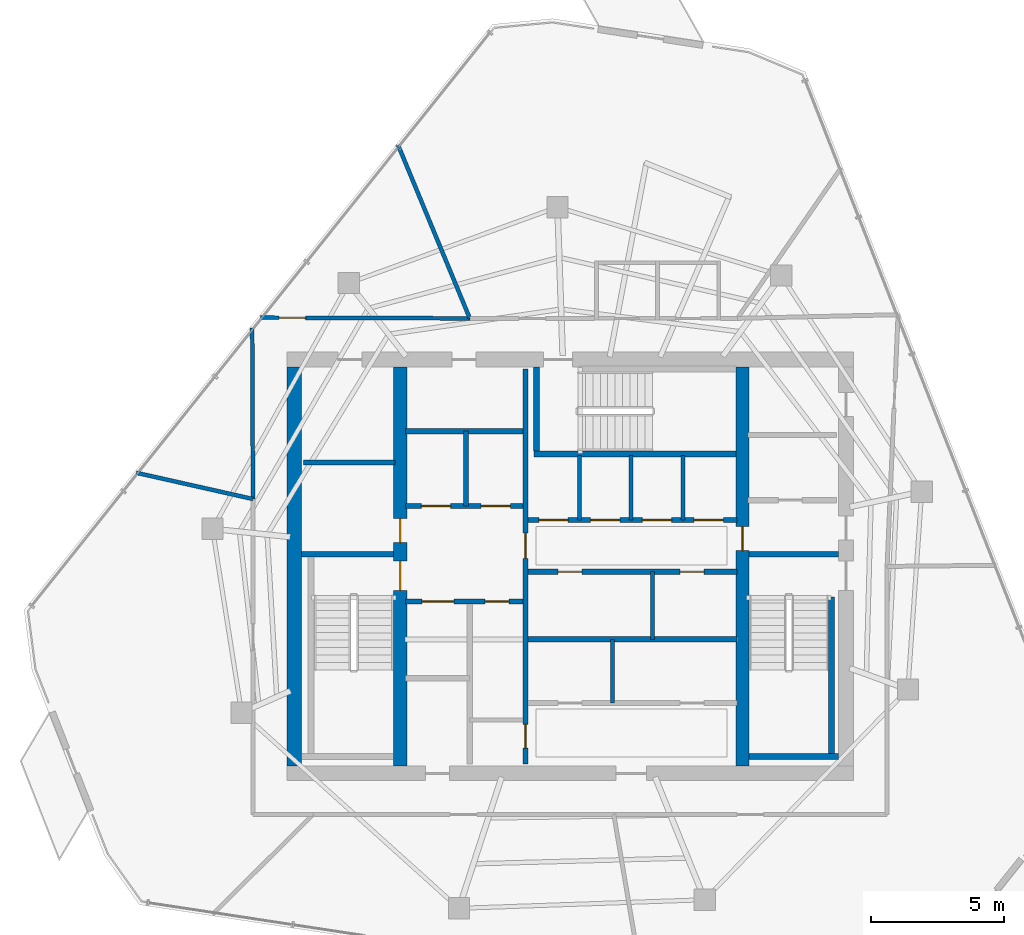
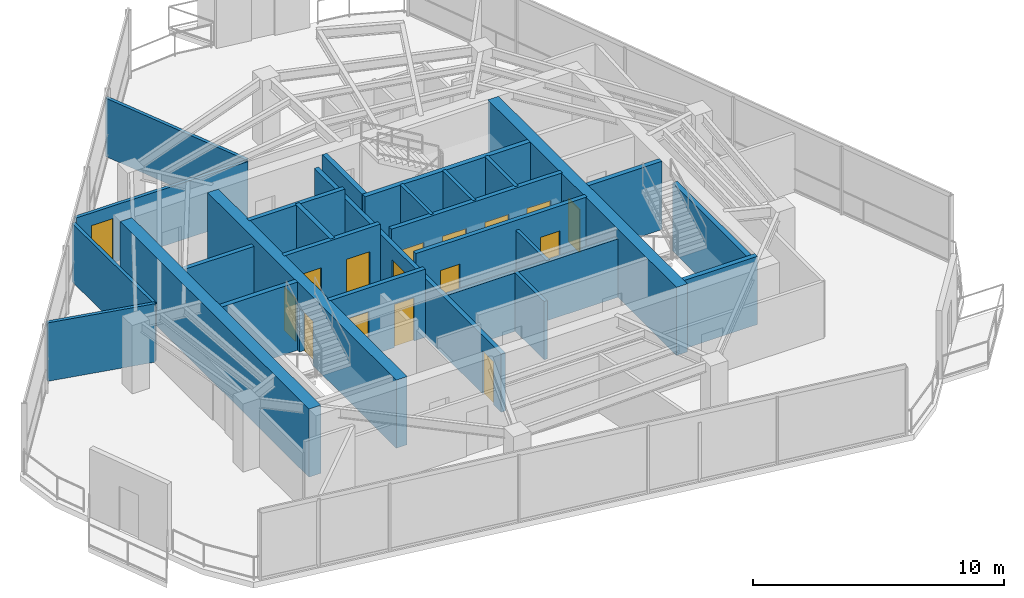
# One storey, part 15 of 19: 27 walls, 16 doors, 16 openings.
"""IFC4 building model written with IfcOpenShell, lengths in metres."""

from ifc_helpers import new_model, si_unit, direction, frame, frame_2d, origin, place, context, subcontext, project, spatial, rectangle, extrude, material, layer, layer_set, type_object, element, fill, save


model = new_model("IFC4")

# Units and contexts
model_context = context("Model", 3, precision=1e-05, world=origin(), true_north=direction((0.0, 1.0)))
body_context = subcontext(model_context, "Body", "Model", "MODEL_VIEW")
ifc_project = project(units=[si_unit("LENGTHUNIT", "METRE"), si_unit("AREAUNIT", "SQUARE_METRE"), si_unit("VOLUMEUNIT", "CUBIC_METRE"), si_unit("PLANEANGLEUNIT", "RADIAN"), si_unit("MASSUNIT", "GRAM", prefix="KILO")], contexts=[model_context])

# Site, building, storey
site_placement = place(None, origin())
site = spatial("IfcSite", under=ifc_project, at=site_placement, CompositionType="ELEMENT")
building_placement = place(site_placement, origin())
building = spatial("IfcBuilding", under=site, at=building_placement, Name="Qarnah Convention Tower", CompositionType="ELEMENT")
storey_placement = place(building_placement, frame((0.0, 0.0, 260.699951171875)))
storey = spatial("IfcBuildingStorey", under=building, at=storey_placement, Name="L70", CompositionType="ELEMENT", Elevation=260.699951171875)

# Wall
ifc_material_1 = material(Name="Concrete C60/75", Category="concrete")
ifc_layer_1 = layer(ifc_material_1, 0.550048828125)
ifc_layer_set_1 = layer_set([ifc_layer_1], Name="Concrete C60/75")
wall_type_1 = type_object("IfcWallType", Name="WL-CORE-550", PredefinedType="SHEAR", material=ifc_layer_set_1)
wall_1_placement = place(storey_placement, frame((26.800048828125, 18.875, 0.0), z_axis=(0.0, 0.0, 1.0), x_axis=(0.0, 1.0, 0.0)))
element("IfcWall", 1, at=wall_1_placement, inside=storey, type_object=wall_type_1, Name="L70 core west shear wall", PredefinedType="SHEAR", context=body_context, shape_type="SweptSolid", body=[
    extrude(rectangle(XDim=15.050048828125, YDim=0.550048828125, at=frame_2d((7.52490234375, 0.0))), origin(), (0.0, 0.0, 1.0), 3.320068359375),
])

# Wall, openings, doors
ifc_layer_2 = layer(ifc_material_1, 0.5)
ifc_layer_set_2 = layer_set([ifc_layer_2], Name="Concrete C60/75")
wall_type_2 = type_object("IfcWallType", Name="WL-CORE-INT-400", PredefinedType="SHEAR", material=ifc_layer_set_2)
wall_2_placement = place(storey_placement, frame((30.800048828125, 18.875, 0.0), z_axis=(0.0, 0.0, 1.0), x_axis=(0.0, 1.0, 0.0)))
wall_2 = element("IfcWall", 2, at=wall_2_placement, inside=storey, type_object=wall_type_2, Name="L70 core west spine shear wall", PredefinedType="SHEAR", context=body_context, shape_type="SweptSolid", body=[
    extrude(rectangle(XDim=15.050048828125, YDim=0.5, at=frame_2d((7.52490234375, 0.0))), origin(), (0.0, 0.0, 1.0), 3.320068359375),
])
opening_1_placement = place(wall_2_placement, frame((6.625, 0.0, 0.0)))
opening_1 = element("IfcOpeningElement", 3, at=opening_1_placement, cuts=wall_2, Name="Opening D-7001", PredefinedType="OPENING", context=body_context, shape_type="SweptSolid", body=[
    extrude(rectangle(XDim=1.10009765625, YDim=2.14990234375, at=frame_2d((0.550048828125, 1.074951171875))), frame((0.0, 0.260009765625, 0.0), z_axis=(0.0, -1.0, 0.0), x_axis=(1.0, 0.0, 0.0)), (0.0, 0.0, 1.0), 0.52001953125),
])
opening_2_placement = place(wall_2_placement, frame((8.425048828125, 0.0, 0.0)))
opening_2 = element("IfcOpeningElement", 4, at=opening_2_placement, cuts=wall_2, Name="Opening D-7008", PredefinedType="OPENING", context=body_context, shape_type="SweptSolid", body=[
    extrude(rectangle(XDim=0.89990234375, YDim=2.10009765625, at=frame_2d((0.449951171875, 1.050048828125))), frame((0.0, 0.260009765625, 0.0), z_axis=(0.0, -1.0, 0.0), x_axis=(1.0, 0.0, 0.0)), (0.0, 0.0, 1.0), 0.52001953125),
])
ifc_material_2 = material(Name="Structural steel S355JR", Category="steel")
door_type_1 = type_object("IfcDoorType", Name="DT-RISER-900", OperationType="NOTDEFINED", PredefinedType="DOOR", material=ifc_material_2)
door_1_placement = place(opening_2_placement, origin())
door_1 = element("IfcDoor", 5, at=door_1_placement, inside=storey, type_object=door_type_1, Name="Door D-7008", OperationType="SINGLE_SWING_LEFT", OverallHeight=2.10009765625, OverallWidth=0.89990234375, PredefinedType="DOOR", context=body_context, shape_type="SweptSolid", body=[
    extrude(rectangle(XDim=0.89990234375, YDim=2.10009765625, at=frame_2d((0.449951171875, 1.050048828125))), frame((0.0, 0.02490234375, 0.0), z_axis=(0.0, -1.0, 0.0), x_axis=(1.0, 0.0, 0.0)), (0.0, 0.0, 1.0), 0.050048828125),
])
fill(opening_2, door_1)
door_type_2 = type_object("IfcDoorType", Name="DT-STAIR-1100", OperationType="NOTDEFINED", PredefinedType="DOOR", material=ifc_material_2)
door_2_placement = place(opening_1_placement, origin())
door_2 = element("IfcDoor", 6, at=door_2_placement, inside=storey, type_object=door_type_2, Name="Door D-7001", OperationType="SINGLE_SWING_RIGHT", OverallHeight=2.14990234375, OverallWidth=1.10009765625, PredefinedType="DOOR", context=body_context, shape_type="SweptSolid", body=[
    extrude(rectangle(XDim=1.10009765625, YDim=2.14990234375, at=frame_2d((0.550048828125, 1.074951171875))), frame((0.0, 0.02490234375, 0.0), z_axis=(0.0, -1.0, 0.0), x_axis=(1.0, 0.0, 0.0)), (0.0, 0.0, 1.0), 0.050048828125),
])
fill(opening_1, door_2)

# Wall, opening, door
wall_3_placement = place(storey_placement, frame((43.699951171875, 18.875, 0.0), z_axis=(0.0, 0.0, 1.0), x_axis=(0.0, 1.0, 0.0)))
wall_3 = element("IfcWall", 7, at=wall_3_placement, inside=storey, type_object=wall_type_2, Name="L70 core east spine shear wall", PredefinedType="SHEAR", context=body_context, shape_type="SweptSolid", body=[
    extrude(rectangle(XDim=15.050048828125, YDim=0.5, at=frame_2d((7.52490234375, 0.0))), origin(), (0.0, 0.0, 1.0), 3.320068359375),
])
opening_3_placement = place(wall_3_placement, frame((8.125, 0.0, 0.0)))
opening_3 = element("IfcOpeningElement", 8, at=opening_3_placement, cuts=wall_3, Name="Opening D-7005", PredefinedType="OPENING", context=body_context, shape_type="SweptSolid", body=[
    extrude(rectangle(XDim=0.89990234375, YDim=2.10009765625, at=frame_2d((0.449951171875, 1.050048828125))), frame((0.0, 0.260009765625, 0.0), z_axis=(0.0, -1.0, 0.0), x_axis=(1.0, 0.0, 0.0)), (0.0, 0.0, 1.0), 0.52001953125),
])
door_3_placement = place(opening_3_placement, origin())
door_3 = element("IfcDoor", 9, at=door_3_placement, inside=storey, type_object=door_type_1, Name="Door D-7005", OperationType="SINGLE_SWING_RIGHT", OverallHeight=2.10009765625, OverallWidth=0.89990234375, PredefinedType="DOOR", context=body_context, shape_type="SweptSolid", body=[
    extrude(rectangle(XDim=0.89990234375, YDim=2.10009765625, at=frame_2d((0.449951171875, 1.050048828125))), frame((0.0, 0.02490234375, 0.0), z_axis=(0.0, -1.0, 0.0), x_axis=(1.0, 0.0, 0.0)), (0.0, 0.0, 1.0), 0.050048828125),
])
fill(opening_3, door_3)

# Wall
ifc_material_3 = material(Name="Concrete C45/55", Category="concrete")
ifc_layer_3 = layer(ifc_material_3, 0.199951171875)
ifc_layer_set_3 = layer_set([ifc_layer_3], Name="Concrete C45/55")
wall_type_3 = type_object("IfcWallType", Name="WL-CORE-PART-200", PredefinedType="SOLIDWALL", material=ifc_layer_set_3)
wall_4_placement = place(storey_placement, frame((27.14990234375, 30.320068359375, 0.0), z_axis=(0.0, 0.0, 1.0), x_axis=(1.0, 0.0, 0.0)))
element("IfcWall", 10, at=wall_4_placement, inside=storey, type_object=wall_type_3, Name="L70 interior wall IW-L70-ELRN", PredefinedType="SOLIDWALL", context=body_context, shape_type="SweptSolid", body=[
    extrude(rectangle(XDim=3.4501953125, YDim=0.199951171875, at=frame_2d((1.72509765625, 0.0))), origin(), (0.0, 0.0, 1.0), 2.948974609375),
])

# Wall, openings, doors
wall_5_placement = place(storey_placement, frame((35.52001953125, 18.949951171875, 0.0), z_axis=(0.0, 0.0, 1.0), x_axis=(0.0, 1.0, 0.0)))
wall_5 = element("IfcWall", 11, at=wall_5_placement, inside=storey, type_object=wall_type_3, Name="L70 interior wall IW-L70-CSP", PredefinedType="SOLIDWALL", context=body_context, shape_type="SweptSolid", body=[
    extrude(rectangle(XDim=14.900146484375, YDim=0.199951171875, at=frame_2d((7.4501953125, 0.0))), origin(), (0.0, 0.0, 1.0), 2.841064453125),
])
opening_4_placement = place(wall_5_placement, frame((7.7548828125, 0.0, 0.0)))
opening_4 = element("IfcOpeningElement", 12, at=opening_4_placement, cuts=wall_5, Name="Opening D-7004", PredefinedType="OPENING", context=body_context, shape_type="SweptSolid", body=[
    extrude(rectangle(XDim=0.949951171875, YDim=2.14990234375, at=frame_2d((0.47509765625, 1.074951171875))), frame((0.0, 0.10986328125, 0.0), z_axis=(0.0, -1.0, 0.0), x_axis=(1.0, 0.0, 0.0)), (0.0, 0.0, 1.0), 0.219970703125),
])
opening_5_placement = place(wall_5_placement, frame((0.60009765625, 0.0, 0.0)))
opening_5 = element("IfcOpeningElement", 13, at=opening_5_placement, cuts=wall_5, Name="Opening D-7014", PredefinedType="OPENING", context=body_context, shape_type="SweptSolid", body=[
    extrude(rectangle(XDim=0.89990234375, YDim=2.10009765625, at=frame_2d((0.449951171875, 1.050048828125))), frame((0.0, 0.10986328125, 0.0), z_axis=(0.0, -1.0, 0.0), x_axis=(1.0, 0.0, 0.0)), (0.0, 0.0, 1.0), 0.219970703125),
])
ifc_material_4 = material(Name="Oak timber veneer", Category="wood")
door_type_3 = type_object("IfcDoorType", Name="DT-HOTEL-950", OperationType="NOTDEFINED", PredefinedType="DOOR", material=ifc_material_4)
door_4_placement = place(opening_4_placement, origin())
door_4 = element("IfcDoor", 14, at=door_4_placement, inside=storey, type_object=door_type_3, Name="Door D-7004", OperationType="SINGLE_SWING_LEFT", OverallHeight=2.14990234375, OverallWidth=0.949951171875, PredefinedType="DOOR", context=body_context, shape_type="SweptSolid", body=[
    extrude(rectangle(XDim=0.949951171875, YDim=2.14990234375, at=frame_2d((0.47509765625, 1.074951171875))), frame((0.0, 0.02490234375, 0.0), z_axis=(0.0, -1.0, 0.0), x_axis=(1.0, 0.0, 0.0)), (0.0, 0.0, 1.0), 0.050048828125),
])
fill(opening_4, door_4)
door_5_placement = place(opening_5_placement, origin())
door_5 = element("IfcDoor", 15, at=door_5_placement, inside=storey, type_object=door_type_1, Name="Door D-7014", OperationType="SINGLE_SWING_LEFT", OverallHeight=2.10009765625, OverallWidth=0.89990234375, PredefinedType="DOOR", context=body_context, shape_type="SweptSolid", body=[
    extrude(rectangle(XDim=0.89990234375, YDim=2.10009765625, at=frame_2d((0.449951171875, 1.050048828125))), frame((0.0, 0.02490234375, 0.0), z_axis=(0.0, -1.0, 0.0), x_axis=(1.0, 0.0, 0.0)), (0.0, 0.0, 1.0), 0.050048828125),
])
fill(opening_5, door_5)

wall_6_placement = place(storey_placement, frame((31.0, 28.679931640625, 0.0), z_axis=(0.0, 0.0, 1.0), x_axis=(1.0, 0.0, 0.0)))
wall_6 = element("IfcWall", 16, at=wall_6_placement, inside=storey, type_object=wall_type_3, Name="L70 interior wall IW-L70-FFLS", PredefinedType="SOLIDWALL", context=body_context, shape_type="SweptSolid", body=[
    extrude(rectangle(XDim=4.419921875, YDim=0.199951171875, at=frame_2d((2.2099609375, 0.0))), origin(), (0.0, 0.0, 1.0), 3.320068359375),
])
opening_6_placement = place(wall_6_placement, frame((0.60009765625, 0.0, 0.0)))
opening_6 = element("IfcOpeningElement", 17, at=opening_6_placement, cuts=wall_6, Name="Opening LD-7001", PredefinedType="OPENING", context=body_context, shape_type="SweptSolid", body=[
    extrude(rectangle(XDim=1.10009765625, YDim=2.14990234375, at=frame_2d((0.550048828125, 1.074951171875))), frame((0.0, 0.10986328125, 0.0), z_axis=(0.0, -1.0, 0.0), x_axis=(1.0, 0.0, 0.0)), (0.0, 0.0, 1.0), 0.219970703125),
])
opening_7_placement = place(wall_6_placement, frame((2.85009765625, 0.0, 0.0)))
opening_7 = element("IfcOpeningElement", 18, at=opening_7_placement, cuts=wall_6, Name="Opening LD-7002", PredefinedType="OPENING", context=body_context, shape_type="SweptSolid", body=[
    extrude(rectangle(XDim=1.10009765625, YDim=2.14990234375, at=frame_2d((0.550048828125, 1.074951171875))), frame((0.0, 0.10986328125, 0.0), z_axis=(0.0, -1.0, 0.0), x_axis=(1.0, 0.0, 0.0)), (0.0, 0.0, 1.0), 0.219970703125),
])
door_type_4 = type_object("IfcDoorType", Name="DT-LIFT-1100", OperationType="SLIDING_TO_LEFT", PredefinedType="DOOR", material=ifc_material_2)
door_6_placement = place(opening_6_placement, origin())
door_6 = element("IfcDoor", 19, at=door_6_placement, inside=storey, type_object=door_type_4, Name="Door LD-7001", OperationType="SLIDING_TO_LEFT", OverallHeight=2.14990234375, OverallWidth=1.10009765625, PredefinedType="DOOR", context=body_context, shape_type="SweptSolid", body=[
    extrude(rectangle(XDim=1.10009765625, YDim=2.14990234375, at=frame_2d((0.550048828125, 1.074951171875))), frame((0.0, 0.02490234375, 0.0), z_axis=(0.0, -1.0, 0.0), x_axis=(1.0, 0.0, 0.0)), (0.0, 0.0, 1.0), 0.050048828125),
])
fill(opening_6, door_6)
door_7_placement = place(opening_7_placement, origin())
door_7 = element("IfcDoor", 20, at=door_7_placement, inside=storey, type_object=door_type_4, Name="Door LD-7002", OperationType="SLIDING_TO_LEFT", OverallHeight=2.14990234375, OverallWidth=1.10009765625, PredefinedType="DOOR", context=body_context, shape_type="SweptSolid", body=[
    extrude(rectangle(XDim=1.10009765625, YDim=2.14990234375, at=frame_2d((0.550048828125, 1.074951171875))), frame((0.0, 0.02490234375, 0.0), z_axis=(0.0, -1.0, 0.0), x_axis=(1.0, 0.0, 0.0)), (0.0, 0.0, 1.0), 0.050048828125),
])
fill(opening_7, door_7)

# Walls
wall_7_placement = place(storey_placement, frame((31.0, 31.5, 0.0), z_axis=(0.0, 0.0, 1.0), x_axis=(1.0, 0.0, 0.0)))
element("IfcWall", 21, at=wall_7_placement, inside=storey, type_object=wall_type_3, Name="L70 interior wall IW-L70-FFLN", PredefinedType="SOLIDWALL", context=body_context, shape_type="SweptSolid", body=[
    extrude(rectangle(XDim=4.419921875, YDim=0.199951171875, at=frame_2d((2.2099609375, 0.0))), origin(), (0.0, 0.0, 1.0), 3.320068359375),
])
wall_8_placement = place(storey_placement, frame((33.280029296875, 28.679931640625, 0.0), z_axis=(0.0, 0.0, 1.0), x_axis=(0.0, 1.0, 0.0)))
element("IfcWall", 22, at=wall_8_placement, inside=storey, type_object=wall_type_3, Name="L70 interior wall IW-L70-FFLM", PredefinedType="SOLIDWALL", context=body_context, shape_type="SweptSolid", body=[
    extrude(rectangle(XDim=2.820068359375, YDim=0.199951171875, at=frame_2d((1.41015625, 0.0))), origin(), (0.0, 0.0, 1.0), 3.320068359375),
])

# Wall, openings, doors
wall_9_placement = place(storey_placement, frame((31.0, 25.080078125, 0.0), z_axis=(0.0, 0.0, 1.0), x_axis=(1.0, 0.0, 0.0)))
wall_9 = element("IfcWall", 23, at=wall_9_placement, inside=storey, type_object=wall_type_3, Name="L70 interior wall IW-L70-FFLBS", PredefinedType="SOLIDWALL", context=body_context, shape_type="SweptSolid", body=[
    extrude(rectangle(XDim=4.419921875, YDim=0.199951171875, at=frame_2d((2.2099609375, 0.0))), origin(), (0.0, 0.0, 1.0), 3.320068359375),
])
opening_8_placement = place(wall_9_placement, frame((3.0, 0.0, 0.0)))
opening_8 = element("IfcOpeningElement", 24, at=opening_8_placement, cuts=wall_9, Name="Opening D-7015", PredefinedType="OPENING", context=body_context, shape_type="SweptSolid", body=[
    extrude(rectangle(XDim=0.89990234375, YDim=2.10009765625, at=frame_2d((0.449951171875, 1.050048828125))), frame((0.0, 0.10986328125, 0.0), z_axis=(0.0, -1.0, 0.0), x_axis=(1.0, 0.0, 0.0)), (0.0, 0.0, 1.0), 0.219970703125),
])
opening_9_placement = place(wall_9_placement, frame((0.6201171875, 0.0, 0.0)))
opening_9 = element("IfcOpeningElement", 25, at=opening_9_placement, cuts=wall_9, Name="Opening LD-7003", PredefinedType="OPENING", context=body_context, shape_type="SweptSolid", body=[
    extrude(rectangle(XDim=1.199951171875, YDim=2.14990234375, at=frame_2d((0.60009765625, 1.074951171875))), frame((0.0, 0.10986328125, 0.0), z_axis=(0.0, -1.0, 0.0), x_axis=(1.0, 0.0, 0.0)), (0.0, 0.0, 1.0), 0.219970703125),
])
door_type_5 = type_object("IfcDoorType", Name="DT-LIFT-1200", OperationType="SLIDING_TO_LEFT", PredefinedType="DOOR", material=ifc_material_2)
door_8_placement = place(opening_9_placement, origin())
door_8 = element("IfcDoor", 26, at=door_8_placement, inside=storey, type_object=door_type_5, Name="Door LD-7003", OperationType="SLIDING_TO_LEFT", OverallHeight=2.14990234375, OverallWidth=1.199951171875, PredefinedType="DOOR", context=body_context, shape_type="SweptSolid", body=[
    extrude(rectangle(XDim=1.199951171875, YDim=2.14990234375, at=frame_2d((0.60009765625, 1.074951171875))), frame((0.0, 0.02490234375, 0.0), z_axis=(0.0, -1.0, 0.0), x_axis=(1.0, 0.0, 0.0)), (0.0, 0.0, 1.0), 0.050048828125),
])
fill(opening_9, door_8)
door_9_placement = place(opening_8_placement, origin())
door_9 = element("IfcDoor", 27, at=door_9_placement, inside=storey, type_object=door_type_1, Name="Door D-7015", OperationType="SINGLE_SWING_RIGHT", OverallHeight=2.10009765625, OverallWidth=0.89990234375, PredefinedType="DOOR", context=body_context, shape_type="SweptSolid", body=[
    extrude(rectangle(XDim=0.89990234375, YDim=2.10009765625, at=frame_2d((0.449951171875, 1.050048828125))), frame((0.0, 0.02490234375, 0.0), z_axis=(0.0, -1.0, 0.0), x_axis=(1.0, 0.0, 0.0)), (0.0, 0.0, 1.0), 0.050048828125),
])
fill(opening_8, door_9)

wall_10_placement = place(storey_placement, frame((35.6201171875, 28.14990234375, 0.0), z_axis=(0.0, 0.0, 1.0), x_axis=(1.0, 0.0, 0.0)))
wall_10 = element("IfcWall", 28, at=wall_10_placement, inside=storey, type_object=wall_type_3, Name="L70 interior wall IW-L70-PHS", PredefinedType="SOLIDWALL", context=body_context, shape_type="SweptSolid", body=[
    extrude(rectangle(XDim=7.8798828125, YDim=0.199951171875, at=frame_2d((3.93994140625, 0.0))), origin(), (0.0, 0.0, 1.0), 3.320068359375),
])
opening_10_placement = place(wall_10_placement, frame((0.405029296875, 0.0, 0.0)))
opening_10 = element("IfcOpeningElement", 29, at=opening_10_placement, cuts=wall_10, Name="Opening LD-7004", PredefinedType="OPENING", context=body_context, shape_type="SweptSolid", body=[
    extrude(rectangle(XDim=1.10009765625, YDim=2.14990234375, at=frame_2d((0.550048828125, 1.074951171875))), frame((0.0, 0.10986328125, 0.0), z_axis=(0.0, -1.0, 0.0), x_axis=(1.0, 0.0, 0.0)), (0.0, 0.0, 1.0), 0.219970703125),
])
opening_11_placement = place(wall_10_placement, frame((2.35498046875, 0.0, 0.0)))
opening_11 = element("IfcOpeningElement", 30, at=opening_11_placement, cuts=wall_10, Name="Opening LD-7005", PredefinedType="OPENING", context=body_context, shape_type="SweptSolid", body=[
    extrude(rectangle(XDim=1.10009765625, YDim=2.14990234375, at=frame_2d((0.550048828125, 1.074951171875))), frame((0.0, 0.10986328125, 0.0), z_axis=(0.0, -1.0, 0.0), x_axis=(1.0, 0.0, 0.0)), (0.0, 0.0, 1.0), 0.219970703125),
])
opening_12_placement = place(wall_10_placement, frame((4.304931640625, 0.0, 0.0)))
opening_12 = element("IfcOpeningElement", 31, at=opening_12_placement, cuts=wall_10, Name="Opening LD-7006", PredefinedType="OPENING", context=body_context, shape_type="SweptSolid", body=[
    extrude(rectangle(XDim=1.10009765625, YDim=2.14990234375, at=frame_2d((0.550048828125, 1.074951171875))), frame((0.0, 0.10986328125, 0.0), z_axis=(0.0, -1.0, 0.0), x_axis=(1.0, 0.0, 0.0)), (0.0, 0.0, 1.0), 0.219970703125),
])
opening_13_placement = place(wall_10_placement, frame((6.2548828125, 0.0, 0.0)))
opening_13 = element("IfcOpeningElement", 32, at=opening_13_placement, cuts=wall_10, Name="Opening LD-7007", PredefinedType="OPENING", context=body_context, shape_type="SweptSolid", body=[
    extrude(rectangle(XDim=1.10009765625, YDim=2.14990234375, at=frame_2d((0.550048828125, 1.074951171875))), frame((0.0, 0.10986328125, 0.0), z_axis=(0.0, -1.0, 0.0), x_axis=(1.0, 0.0, 0.0)), (0.0, 0.0, 1.0), 0.219970703125),
])
door_10_placement = place(opening_10_placement, origin())
door_10 = element("IfcDoor", 33, at=door_10_placement, inside=storey, type_object=door_type_4, Name="Door LD-7004", OperationType="SLIDING_TO_LEFT", OverallHeight=2.14990234375, OverallWidth=1.10009765625, PredefinedType="DOOR", context=body_context, shape_type="SweptSolid", body=[
    extrude(rectangle(XDim=1.10009765625, YDim=2.14990234375, at=frame_2d((0.550048828125, 1.074951171875))), frame((0.0, 0.02490234375, 0.0), z_axis=(0.0, -1.0, 0.0), x_axis=(1.0, 0.0, 0.0)), (0.0, 0.0, 1.0), 0.050048828125),
])
fill(opening_10, door_10)
door_11_placement = place(opening_11_placement, origin())
door_11 = element("IfcDoor", 34, at=door_11_placement, inside=storey, type_object=door_type_4, Name="Door LD-7005", OperationType="SLIDING_TO_LEFT", OverallHeight=2.14990234375, OverallWidth=1.10009765625, PredefinedType="DOOR", context=body_context, shape_type="SweptSolid", body=[
    extrude(rectangle(XDim=1.10009765625, YDim=2.14990234375, at=frame_2d((0.550048828125, 1.074951171875))), frame((0.0, 0.02490234375, 0.0), z_axis=(0.0, -1.0, 0.0), x_axis=(1.0, 0.0, 0.0)), (0.0, 0.0, 1.0), 0.050048828125),
])
fill(opening_11, door_11)
door_12_placement = place(opening_12_placement, origin())
door_12 = element("IfcDoor", 35, at=door_12_placement, inside=storey, type_object=door_type_4, Name="Door LD-7006", OperationType="SLIDING_TO_LEFT", OverallHeight=2.14990234375, OverallWidth=1.10009765625, PredefinedType="DOOR", context=body_context, shape_type="SweptSolid", body=[
    extrude(rectangle(XDim=1.10009765625, YDim=2.14990234375, at=frame_2d((0.550048828125, 1.074951171875))), frame((0.0, 0.02490234375, 0.0), z_axis=(0.0, -1.0, 0.0), x_axis=(1.0, 0.0, 0.0)), (0.0, 0.0, 1.0), 0.050048828125),
])
fill(opening_12, door_12)
door_13_placement = place(opening_13_placement, origin())
door_13 = element("IfcDoor", 36, at=door_13_placement, inside=storey, type_object=door_type_4, Name="Door LD-7007", OperationType="SLIDING_TO_LEFT", OverallHeight=2.14990234375, OverallWidth=1.10009765625, PredefinedType="DOOR", context=body_context, shape_type="SweptSolid", body=[
    extrude(rectangle(XDim=1.10009765625, YDim=2.14990234375, at=frame_2d((0.550048828125, 1.074951171875))), frame((0.0, 0.02490234375, 0.0), z_axis=(0.0, -1.0, 0.0), x_axis=(1.0, 0.0, 0.0)), (0.0, 0.0, 1.0), 0.050048828125),
])
fill(opening_13, door_13)

wall_11_placement = place(storey_placement, frame((35.6201171875, 26.199951171875, 0.0), z_axis=(0.0, 0.0, 1.0), x_axis=(1.0, 0.0, 0.0)))
wall_11 = element("IfcWall", 37, at=wall_11_placement, inside=storey, type_object=wall_type_3, Name="L70 interior wall IW-L70-PMN", PredefinedType="SOLIDWALL", context=body_context, shape_type="SweptSolid", body=[
    extrude(rectangle(XDim=7.8798828125, YDim=0.199951171875, at=frame_2d((3.93994140625, 0.0))), origin(), (0.0, 0.0, 1.0), 3.320068359375),
])
opening_14_placement = place(wall_11_placement, frame((1.1298828125, 0.0, 0.0)))
opening_14 = element("IfcOpeningElement", 38, at=opening_14_placement, cuts=wall_11, Name="Opening D-7018", PredefinedType="OPENING", context=body_context, shape_type="SweptSolid", body=[
    extrude(rectangle(XDim=0.89990234375, YDim=2.10009765625, at=frame_2d((0.449951171875, 1.050048828125))), frame((0.0, 0.10986328125, 0.0), z_axis=(0.0, -1.0, 0.0), x_axis=(1.0, 0.0, 0.0)), (0.0, 0.0, 1.0), 0.219970703125),
])
opening_15_placement = place(wall_11_placement, frame((5.72998046875, 0.0, 0.0)))
opening_15 = element("IfcOpeningElement", 39, at=opening_15_placement, cuts=wall_11, Name="Opening D-7019", PredefinedType="OPENING", context=body_context, shape_type="SweptSolid", body=[
    extrude(rectangle(XDim=0.89990234375, YDim=2.10009765625, at=frame_2d((0.449951171875, 1.050048828125))), frame((0.0, 0.10986328125, 0.0), z_axis=(0.0, -1.0, 0.0), x_axis=(1.0, 0.0, 0.0)), (0.0, 0.0, 1.0), 0.219970703125),
])
door_14_placement = place(opening_14_placement, origin())
door_14 = element("IfcDoor", 40, at=door_14_placement, inside=storey, type_object=door_type_1, Name="Door D-7018", OperationType="SINGLE_SWING_LEFT", OverallHeight=2.10009765625, OverallWidth=0.89990234375, PredefinedType="DOOR", context=body_context, shape_type="SweptSolid", body=[
    extrude(rectangle(XDim=0.89990234375, YDim=2.10009765625, at=frame_2d((0.449951171875, 1.050048828125))), frame((0.0, 0.02490234375, 0.0), z_axis=(0.0, -1.0, 0.0), x_axis=(1.0, 0.0, 0.0)), (0.0, 0.0, 1.0), 0.050048828125),
])
fill(opening_14, door_14)
door_15_placement = place(opening_15_placement, origin())
door_15 = element("IfcDoor", 41, at=door_15_placement, inside=storey, type_object=door_type_1, Name="Door D-7019", OperationType="SINGLE_SWING_RIGHT", OverallHeight=2.10009765625, OverallWidth=0.89990234375, PredefinedType="DOOR", context=body_context, shape_type="SweptSolid", body=[
    extrude(rectangle(XDim=0.89990234375, YDim=2.10009765625, at=frame_2d((0.449951171875, 1.050048828125))), frame((0.0, 0.02490234375, 0.0), z_axis=(0.0, -1.0, 0.0), x_axis=(1.0, 0.0, 0.0)), (0.0, 0.0, 1.0), 0.050048828125),
])
fill(opening_15, door_15)

# Walls
wall_12_placement = place(storey_placement, frame((35.6201171875, 23.64990234375, 0.0), z_axis=(0.0, 0.0, 1.0), x_axis=(1.0, 0.0, 0.0)))
element("IfcWall", 42, at=wall_12_placement, inside=storey, type_object=wall_type_3, Name="L70 interior wall IW-L70-PMPL", PredefinedType="SOLIDWALL", context=body_context, shape_type="SweptSolid", body=[
    extrude(rectangle(XDim=7.8798828125, YDim=0.199951171875, at=frame_2d((3.93994140625, 0.0))), origin(), (0.0, 0.0, 1.0), 2.841064453125),
])
ifc_layer_4 = layer(ifc_material_1, 0.219970703125)
ifc_layer_set_4 = layer_set([ifc_layer_4], Name="Concrete C60/75")
wall_type_4 = type_object("IfcWallType", Name="WL-CORE-STAIR-220", PredefinedType="SHEAR", material=ifc_layer_set_4)
wall_13_placement = place(storey_placement, frame((27.074951171875, 26.860107421875, 0.0), z_axis=(0.0, 0.0, 1.0), x_axis=(1.0, 0.0, 0.0)))
element("IfcWall", 43, at=wall_13_placement, inside=storey, type_object=wall_type_4, Name="L70 stair shaft shear wall SW-L70-ST1N", PredefinedType="SHEAR", context=body_context, shape_type="SweptSolid", body=[
    extrude(rectangle(XDim=3.47509765625, YDim=0.219970703125, at=frame_2d((1.737548828125, 0.0))), origin(), (0.0, 0.0, 1.0), 3.320068359375),
])
wall_14_placement = place(storey_placement, frame((43.949951171875, 26.860107421875, 0.0), z_axis=(0.0, 0.0, 1.0), x_axis=(1.0, 0.0, 0.0)))
element("IfcWall", 44, at=wall_14_placement, inside=storey, type_object=wall_type_4, Name="L70 stair shaft shear wall SW-L70-ST2N", PredefinedType="SHEAR", context=body_context, shape_type="SweptSolid", body=[
    extrude(rectangle(XDim=3.375, YDim=0.219970703125, at=frame_2d((1.6875, 0.0))), origin(), (0.0, 0.0, 1.0), 3.320068359375),
])
wall_15_placement = place(storey_placement, frame((47.06005859375, 19.35009765625, 0.0), z_axis=(0.0, 0.0, 1.0), x_axis=(0.0, 1.0, 0.0)))
element("IfcWall", 45, at=wall_15_placement, inside=storey, type_object=wall_type_4, Name="L70 stair shaft shear wall SW-L70-ST2E", PredefinedType="SHEAR", context=body_context, shape_type="SweptSolid", body=[
    extrude(rectangle(XDim=5.89990234375, YDim=0.219970703125, at=frame_2d((2.949951171875, 0.0))), origin(), (0.0, 0.0, 1.0), 3.320068359375),
])
wall_16_placement = place(storey_placement, frame((43.949951171875, 19.239990234375, 0.0), z_axis=(0.0, 0.0, 1.0), x_axis=(1.0, 0.0, 0.0)))
element("IfcWall", 46, at=wall_16_placement, inside=storey, type_object=wall_type_4, Name="L70 stair shaft shear wall SW-L70-ST2S", PredefinedType="SHEAR", context=body_context, shape_type="SweptSolid", body=[
    extrude(rectangle(XDim=3.375, YDim=0.219970703125, at=frame_2d((1.6875, 0.0))), origin(), (0.0, 0.0, 1.0), 3.320068359375),
])
wall_17_placement = place(storey_placement, frame((35.840087890625, 30.639892578125, 0.0), z_axis=(0.0, 0.0, 1.0), x_axis=(1.0, 0.0, 0.0)))
element("IfcWall", 47, at=wall_17_placement, inside=storey, type_object=wall_type_4, Name="L70 stair shaft shear wall SW-L70-ST3S", PredefinedType="SHEAR", context=body_context, shape_type="SweptSolid", body=[
    extrude(rectangle(XDim=7.60986328125, YDim=0.219970703125, at=frame_2d((3.804931640625, 0.0))), origin(), (0.0, 0.0, 1.0), 3.320068359375),
])
wall_18_placement = place(storey_placement, frame((35.93994140625, 30.75, 0.0), z_axis=(0.0, 0.0, 1.0), x_axis=(0.0, 1.0, 0.0)))
element("IfcWall", 48, at=wall_18_placement, inside=storey, type_object=wall_type_4, Name="L70 stair shaft shear wall SW-L70-ST3W", PredefinedType="SHEAR", context=body_context, shape_type="SweptSolid", body=[
    extrude(rectangle(XDim=3.175048828125, YDim=0.219970703125, at=frame_2d((1.58740234375, 0.0))), origin(), (0.0, 0.0, 1.0), 3.320068359375),
])
ifc_material_5 = material(Name="Gypsum partition board")
ifc_layer_5 = layer(ifc_material_5, 0.14990234375)
ifc_layer_set_5 = layer_set([ifc_layer_5], Name="Gypsum partition board")
wall_type_5 = type_object("IfcWallType", Name="WL-SUITE-150", PredefinedType="PARTITIONING", material=ifc_layer_set_5)
for number, where, z_axis, x_axis, name in (
    (49, (37.550048828125, 28.14990234375, 0.0), (0.0, 0.0, 1.0), (0.0, 1.0, 0.0), "L70 interior wall IW-L70-PHD1"),
    (50, (39.5, 28.14990234375, 0.0), (0.0, 0.0, 1.0), (0.0, 1.0, 0.0), "L70 interior wall IW-L70-PHD2"),
    (51, (41.449951171875, 28.14990234375, 0.0), (0.0, 0.0, 1.0), (0.0, 1.0, 0.0), "L70 interior wall IW-L70-PHD3"),
):
    element("IfcWall", number, at=place(storey_placement, frame(where, z_axis=z_axis, x_axis=x_axis)), inside=storey, type_object=wall_type_5, Name=name, PredefinedType="PARTITIONING", context=body_context, shape_type="SweptSolid", body=[
        extrude(rectangle(XDim=2.43017578125, YDim=0.14990234375, at=frame_2d((1.215087890625, 0.0))), origin(), (0.0, 0.0, 1.0), 3.320068359375),
    ])
wall_19_placement = place(storey_placement, frame((40.300048828125, 23.64990234375, 0.0), z_axis=(0.0, 0.0, 1.0), x_axis=(0.0, 1.0, 0.0)))
element("IfcWall", 52, at=wall_19_placement, inside=storey, type_object=wall_type_5, Name="L70 interior wall IW-L70-PMFD", PredefinedType="PARTITIONING", context=body_context, shape_type="SweptSolid", body=[
    extrude(rectangle(XDim=2.550048828125, YDim=0.14990234375, at=frame_2d((1.27490234375, 0.0))), origin(), (0.0, 0.0, 1.0), 2.841064453125),
])
wall_20_placement = place(storey_placement, frame((38.800048828125, 21.25, 0.0), z_axis=(0.0, 0.0, 1.0), x_axis=(0.0, 1.0, 0.0)))
element("IfcWall", 53, at=wall_20_placement, inside=storey, type_object=wall_type_5, Name="L70 interior wall IW-L70-PLFD", PredefinedType="PARTITIONING", context=body_context, shape_type="SweptSolid", body=[
    extrude(rectangle(XDim=2.39990234375, YDim=0.14990234375, at=frame_2d((1.199951171875, 0.0))), origin(), (0.0, 0.0, 1.0), 2.841064453125),
])
wall_21_placement = place(storey_placement, frame((30.719970703125, 42.280029296875, 0.0), z_axis=(0.0, 0.0, 1.0), x_axis=(0.382359929536, -0.924013465424, 0.0)))
element("IfcWall", 54, at=wall_21_placement, inside=storey, type_object=wall_type_5, Name="L70 interior wall IW-L70-R-12", PredefinedType="PARTITIONING", context=body_context, shape_type="SweptSolid", body=[
    extrude(rectangle(XDim=7.067138671875, YDim=0.14990234375, at=frame_2d((3.53369140625, 0.0))), origin(), (0.0, 0.0, 1.0), 2.844970703125),
])
wall_22_placement = place(storey_placement, frame((20.85009765625, 29.929931640625, 0.0), z_axis=(0.0, 0.0, 1.0), x_axis=(0.975609176428, -0.219514771414, 0.0)))
element("IfcWall", 55, at=wall_22_placement, inside=storey, type_object=wall_type_5, Name="L70 interior wall IW-L70-R-15", PredefinedType="PARTITIONING", context=body_context, shape_type="SweptSolid", body=[
    extrude(rectangle(XDim=4.510009765625, YDim=0.14990234375, at=frame_2d((2.2548828125, 0.0))), origin(), (0.0, 0.0, 1.0), 2.844970703125),
])
wall_23_placement = place(storey_placement, frame((25.25, 28.93994140625, 0.0), z_axis=(0.0, 0.0, 1.0), x_axis=(-0.004659922884, 0.9999891425, 0.0)))
element("IfcWall", 56, at=wall_23_placement, inside=storey, type_object=wall_type_5, Name="L70 interior wall IW-L70-R-16", PredefinedType="PARTITIONING", context=body_context, shape_type="SweptSolid", body=[
    extrude(rectangle(XDim=6.444091796875, YDim=0.14990234375, at=frame_2d((3.22216796875, 0.0))), origin(), (0.0, 0.0, 1.0), 2.844970703125),
])

# Wall, opening, door
wall_24_placement = place(storey_placement, frame((25.532958984375, 35.77490234375, 0.0), z_axis=(0.0, 0.0, 1.0), x_axis=(0.999995018207, -0.003156510858, 0.0)))
wall_24 = element("IfcWall", 57, at=wall_24_placement, inside=storey, type_object=wall_type_5, Name="L70 interior wall IW-L70-R-17", PredefinedType="PARTITIONING", context=body_context, shape_type="SweptSolid", body=[
    extrude(rectangle(XDim=7.88916015625, YDim=0.14990234375, at=frame_2d((3.944580078125, 0.0))), origin(), (0.0, 0.0, 1.0), 2.76513671875),
])
opening_16_placement = place(wall_24_placement, frame((0.697998046875, 0.0, 0.0)))
opening_16 = element("IfcOpeningElement", 58, at=opening_16_placement, cuts=wall_24, Name="Opening D-7024", PredefinedType="OPENING", context=body_context, shape_type="SweptSolid", body=[
    extrude(rectangle(XDim=1.0, YDim=2.14990234375, at=frame_2d((0.5, 1.074951171875))), frame((0.0, 0.0849609375, 0.0), z_axis=(0.0, -1.0, 0.0), x_axis=(1.0, 0.0, 0.0)), (0.0, 0.0, 1.0), 0.169921875),
])
door_type_6 = type_object("IfcDoorType", Name="DT-OFFICE-1000", OperationType="NOTDEFINED", PredefinedType="DOOR", material=ifc_material_4)
door_16_placement = place(opening_16_placement, origin())
door_16 = element("IfcDoor", 59, at=door_16_placement, inside=storey, type_object=door_type_6, Name="Door D-7024", OperationType="SINGLE_SWING_LEFT", OverallHeight=2.14990234375, OverallWidth=1.0, PredefinedType="DOOR", context=body_context, shape_type="SweptSolid", body=[
    extrude(rectangle(XDim=1.0, YDim=2.14990234375, at=frame_2d((0.5, 1.074951171875))), frame((0.0, 0.02490234375, 0.0), z_axis=(0.0, -1.0, 0.0), x_axis=(1.0, 0.0, 0.0)), (0.0, 0.0, 1.0), 0.050048828125),
])
fill(opening_16, door_16)

save(model, "model.ifc")
